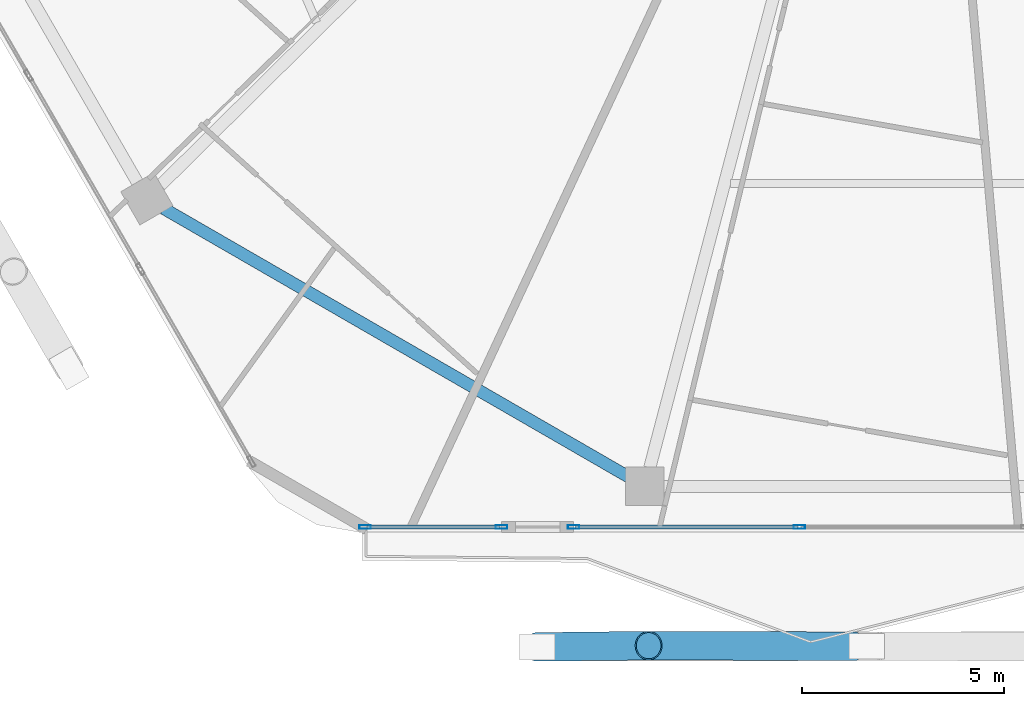
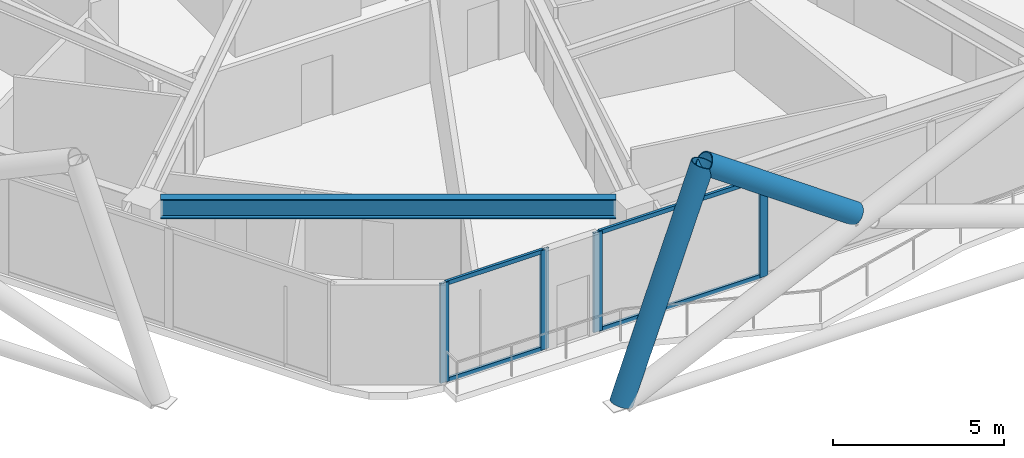
# One storey, part 3 of 28: 10 members, 1 beam, 2 elements without a shape of their own.
"""IFC4 building model written with IfcOpenShell, lengths in metres."""

from ifc_helpers import new_model, si_unit, direction, frame, origin, origin_2d, place, context, subcontext, project, spatial, hollow_rectangle, hollow_circle, i_section, extrude, material, material_profile, profile_set, type_object, element, aggregate, save


model = new_model("IFC4")

# Units and contexts
model_context = context("Model", 3, precision=1e-05, world=origin(), true_north=direction((0.0, 1.0)))
body_context = subcontext(model_context, "Body", "Model", "MODEL_VIEW")
ifc_project = project(units=[si_unit("LENGTHUNIT", "METRE"), si_unit("AREAUNIT", "SQUARE_METRE"), si_unit("VOLUMEUNIT", "CUBIC_METRE"), si_unit("PLANEANGLEUNIT", "RADIAN"), si_unit("MASSUNIT", "GRAM", prefix="KILO")], contexts=[model_context])

# Site, building, storey
site_placement = place(None, origin())
site = spatial("IfcSite", under=ifc_project, at=site_placement, CompositionType="ELEMENT")
building_placement = place(site_placement, origin())
building = spatial("IfcBuilding", under=site, at=building_placement, Name="Zuhravey Tower", CompositionType="ELEMENT")
storey_placement = place(building_placement, frame((0.0, 0.0, 207.39990234375)))
storey = spatial("IfcBuildingStorey", under=building, at=storey_placement, Name="L52", CompositionType="ELEMENT", Elevation=207.39990234375)

# Curtain wall, members
ifc_material_1 = material(Name="Thermally broken anodised aluminium", Category="aluminium")
curtain_wall_type = type_object("IfcCurtainWallType", Name="Zone 1-2 Residential Curtain Wall CW3", PredefinedType="NOTDEFINED", material=ifc_material_1)
curtain_wall_1_placement = place(storey_placement, origin())
curtain_wall_1 = element("IfcCurtainWall", 1, at=curtain_wall_1_placement, inside=storey, type_object=curtain_wall_type, Name="L52 CW3 CW-L52-F5-1", PredefinedType="NOTDEFINED")
ifc_material_2 = material(Name="Anodised aluminium", Category="aluminium")
ifc_material_profile_1 = material_profile(ifc_material_2, hollow_rectangle(XDim=0.090087890625, YDim=0.284912109375, WallThickness=0.0048828125, at=origin_2d()), Name="ALU-RHS-90x285x5")
ifc_profile_set_1 = profile_set([ifc_material_profile_1], Name="Anodised aluminium")
member_type_1 = type_object("IfcMemberType", Name="Curtain-Wall Mullion 90x180", PredefinedType="MULLION", material=ifc_profile_set_1)
member_1_placement = place(storey_placement, frame((32.947265625, 4.81689453125, 0.0), z_axis=(0.0, 0.0, 1.0), x_axis=(0.0, -1.0, 0.0)))
member_1 = element("IfcMember", 2, at=member_1_placement, type_object=member_type_1, Name="CW3 mullion 4", PredefinedType="MULLION", context=body_context, shape_type="SweptSolid", body=[
    extrude(hollow_rectangle(XDim=0.090087890625, YDim=0.284912109375, WallThickness=0.0048828125, at=origin_2d()), origin(), (0.0, 0.0, 1.0), 3.550048828125),
])
member_2_placement = place(storey_placement, frame((27.354248046875, 4.81689453125, 0.0), z_axis=(0.0, 0.0, 1.0), x_axis=(0.0, -1.0, 0.0)))
member_2 = element("IfcMember", 3, at=member_2_placement, type_object=member_type_1, Name="CW3 mullion 5", PredefinedType="MULLION", context=body_context, shape_type="SweptSolid", body=[
    extrude(hollow_rectangle(XDim=0.090087890625, YDim=0.284912109375, WallThickness=0.0048828125, at=origin_2d()), origin(), (0.0, 0.0, 1.0), 3.550048828125),
])

curtain_wall_2_placement = place(storey_placement, origin())
curtain_wall_2 = element("IfcCurtainWall", 4, at=curtain_wall_2_placement, inside=storey, type_object=curtain_wall_type, Name="L52 CW3 CW-L52-F5-2", PredefinedType="NOTDEFINED")
member_3_placement = place(storey_placement, frame((25.564208984375, 4.81689453125, 0.0), z_axis=(0.0, 0.0, 1.0), x_axis=(0.0, -1.0, 0.0)))
member_3 = element("IfcMember", 5, at=member_3_placement, type_object=member_type_1, Name="CW3 mullion 1", PredefinedType="MULLION", context=body_context, shape_type="SweptSolid", body=[
    extrude(hollow_rectangle(XDim=0.090087890625, YDim=0.284912109375, WallThickness=0.0048828125, at=origin_2d()), origin(), (0.0, 0.0, 1.0), 3.550048828125),
])
member_4_placement = place(storey_placement, frame((22.183837890625, 4.81689453125, 0.0), z_axis=(0.0, 0.0, 1.0), x_axis=(0.0, -1.0, 0.0)))
member_4 = element("IfcMember", 6, at=member_4_placement, type_object=member_type_1, Name="CW3 mullion 2", PredefinedType="MULLION", context=body_context, shape_type="SweptSolid", body=[
    extrude(hollow_rectangle(XDim=0.090087890625, YDim=0.284912109375, WallThickness=0.0048828125, at=origin_2d()), origin(), (0.0, 0.0, 1.0), 3.550048828125),
])

# Member
ifc_material_profile_2 = material_profile(ifc_material_2, hollow_rectangle(XDim=0.090087890625, YDim=0.14990234375, WallThickness=0.0048828125, at=origin_2d()), Name="ALU-RHS-90x150x5")
ifc_profile_set_2 = profile_set([ifc_material_profile_2], Name="Anodised aluminium")
member_type_2 = type_object("IfcMemberType", Name="Curtain-Wall Transom 90x150", PredefinedType="USERDEFINED", material=ifc_profile_set_2)
member_5_placement = place(storey_placement, frame((32.90234375, 4.81689453125, 0.045166015625), z_axis=(-1.0, 0.0, 0.0), x_axis=(0.0, -1.0, 0.0)))
member_5 = element("IfcMember", 7, at=member_5_placement, type_object=member_type_2, Name="CW3 transom 4.1", ObjectType="TRANSOM", PredefinedType="USERDEFINED", context=body_context, shape_type="SweptSolid", body=[
    extrude(hollow_rectangle(XDim=0.090087890625, YDim=0.14990234375, WallThickness=0.0048828125, at=origin_2d()), origin(), (0.0, 0.0, 1.0), 5.5029296875),
])

member_6_placement = place(storey_placement, frame((32.90234375, 4.81689453125, 3.505126953125), z_axis=(-1.0, 0.0, 0.0), x_axis=(0.0, -1.0, 0.0)))
member_6 = element("IfcMember", 8, at=member_6_placement, type_object=member_type_2, Name="CW3 transom 4.2", ObjectType="TRANSOM", PredefinedType="USERDEFINED", context=body_context, shape_type="SweptSolid", body=[
    extrude(hollow_rectangle(XDim=0.090087890625, YDim=0.14990234375, WallThickness=0.0048828125, at=origin_2d()), origin(), (0.0, 0.0, 1.0), 5.5029296875),
])

aggregate(curtain_wall_1, [member_1, member_2, member_5, member_6])

member_7_placement = place(storey_placement, frame((25.519287109375, 4.81689453125, 0.045166015625), z_axis=(-1.0, 0.0, 0.0), x_axis=(0.0, -1.0, 0.0)))
member_7 = element("IfcMember", 9, at=member_7_placement, type_object=member_type_2, Name="CW3 transom 1.1", ObjectType="TRANSOM", PredefinedType="USERDEFINED", context=body_context, shape_type="SweptSolid", body=[
    extrude(hollow_rectangle(XDim=0.090087890625, YDim=0.14990234375, WallThickness=0.0048828125, at=origin_2d()), origin(), (0.0, 0.0, 1.0), 3.290283203125),
])

member_8_placement = place(storey_placement, frame((25.519287109375, 4.81689453125, 3.505126953125), z_axis=(-1.0, 0.0, 0.0), x_axis=(0.0, -1.0, 0.0)))
member_8 = element("IfcMember", 10, at=member_8_placement, type_object=member_type_2, Name="CW3 transom 1.2", ObjectType="TRANSOM", PredefinedType="USERDEFINED", context=body_context, shape_type="SweptSolid", body=[
    extrude(hollow_rectangle(XDim=0.090087890625, YDim=0.14990234375, WallThickness=0.0048828125, at=origin_2d()), origin(), (0.0, 0.0, 1.0), 3.290283203125),
])

aggregate(curtain_wall_2, [member_3, member_4, member_7, member_8])

# Members
ifc_material_3 = material(Name="Steel SM460", Category="steel")
ifc_material_profile_3 = material_profile(ifc_material_3, hollow_circle(Radius=0.355712890625, WallThickness=0.031982421875, at=origin_2d()), Name="CHS-711.2x32")
ifc_profile_set_3 = profile_set([ifc_material_profile_3], Name="Steel SM460")
member_type_3 = type_object("IfcMemberType", Name="Exoskeleton Zone 2 Diagrid CHS711x32", PredefinedType="BRACE", material=ifc_profile_set_3)
member_9_placement = place(storey_placement, frame((26.452392578125, 1.846923828125, -0.44384765625), z_axis=(0.342856044852, 0.003700976595, 0.939380665801), x_axis=(-0.010793920789, 0.99994174394, 0.0)))
element("IfcMember", 11, at=member_9_placement, inside=storey, type_object=member_type_3, Name="L52 Face 5 Diagrid Brace 1", PredefinedType="BRACE", context=body_context, shape_type="SweptSolid", body=[
    extrude(hollow_circle(Radius=0.355712890625, WallThickness=0.031982421875, at=origin_2d()), origin(), (0.0, 0.0, 1.0), 8.0478515625),
])
member_10_placement = place(storey_placement, frame((34.33056640625, 1.86279296875, 3.53515625), z_axis=(-0.817499743605, 0.002242635739, 0.575924595577), x_axis=(-0.002743275846, -0.999996237212, 0.0)))
element("IfcMember", 12, at=member_10_placement, inside=storey, type_object=member_type_3, Name="L52 Face 5 Split Diagrid Brace 3B", PredefinedType="BRACE", context=body_context, shape_type="SweptSolid", body=[
    extrude(hollow_circle(Radius=0.355712890625, WallThickness=0.031982421875, at=origin_2d()), origin(), (0.0, 0.0, 1.0), 6.205322265625),
])

# Beam
ifc_material_4 = material(Name="Steel SM355", Category="steel")
ifc_material_profile_4 = material_profile(ifc_material_4, i_section(OverallWidth=0.300048828125, OverallDepth=0.679931640625, WebThickness=0.012939453125, FlangeThickness=0.02197265625, at=origin_2d()), Name="H-680x300x13x22")
ifc_profile_set_4 = profile_set([ifc_material_profile_4], Name="Steel SM355")
beam_type = type_object("IfcBeamType", Name="Perimeter Ring Beam H680x300", PredefinedType="BEAM", material=ifc_profile_set_4)
beam_placement = place(storey_placement, frame((17.1884765625, 12.71435546875, 3.210205078125), z_axis=(0.866029041019, -0.499993700073, 0.0), x_axis=(0.499993700073, 0.866029041019, 0.0)))
element("IfcBeam", 13, at=beam_placement, inside=storey, type_object=beam_type, Name="L52 PB2 BM-L52-PB-08", PredefinedType="BEAM", context=body_context, shape_type="SweptSolid", body=[
    extrude(i_section(OverallWidth=0.300048828125, OverallDepth=0.679931640625, WebThickness=0.012939453125, FlangeThickness=0.02197265625, at=origin_2d()), origin(), (0.0, 0.0, 1.0), 13.297119140625),
])

save(model, "model.ifc")
